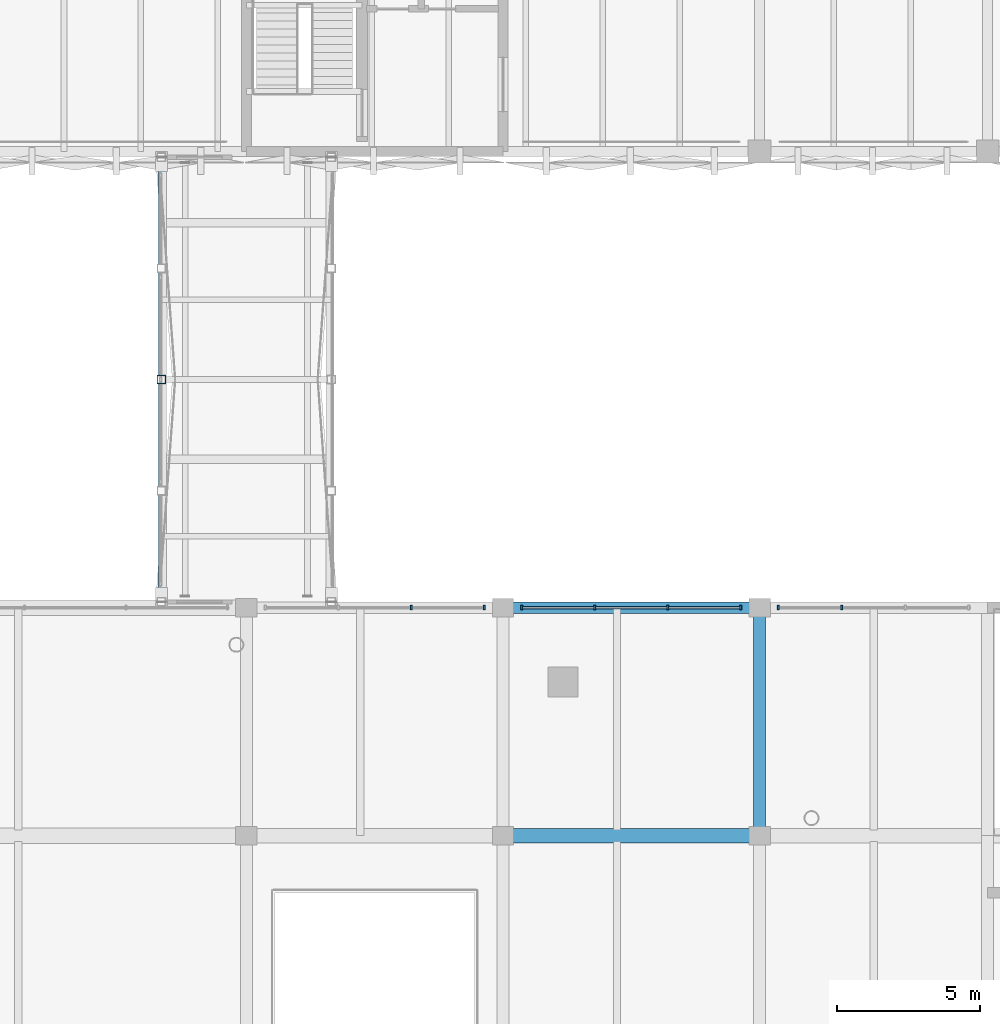
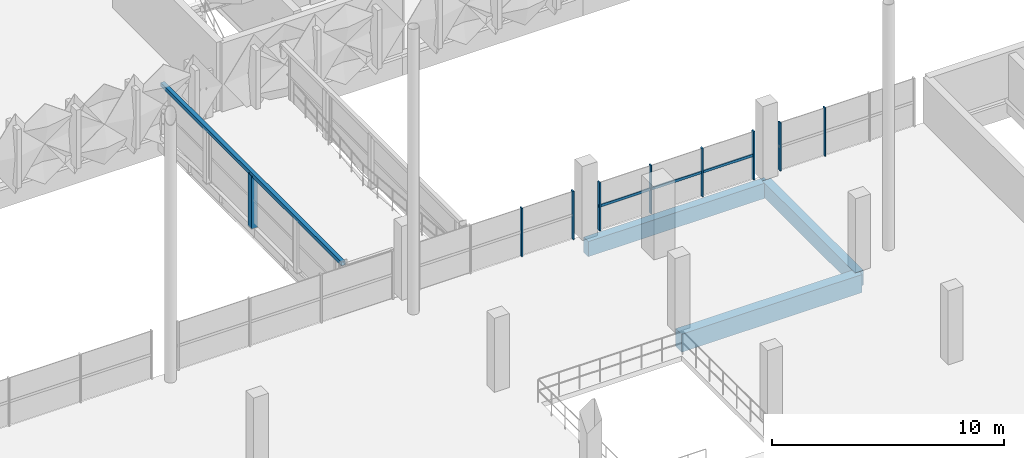
# One storey, part 37 of 123: 11 members, 3 beams, 3 elements without a shape of their own.
"""IFC4 building model written with IfcOpenShell, lengths in metres."""

from ifc_helpers import new_model, si_unit, derived_unit, direction, frame, origin, origin_2d, place, context, subcontext, project, spatial, rectangle, hollow_rectangle, extrude, material, layer, layer_set, material_profile, profile_set, type_object, element, aggregate, save


model = new_model("IFC4")

# Units and contexts
model_context = context("Model", 3, precision=1e-05, world=origin(), true_north=direction((0.0, 1.0)))
body_context = subcontext(model_context, "Body", "Model", "MODEL_VIEW")
ifc_project = project(units=[si_unit("LENGTHUNIT", "METRE"), si_unit("AREAUNIT", "SQUARE_METRE"), si_unit("VOLUMEUNIT", "CUBIC_METRE"), si_unit("PLANEANGLEUNIT", "RADIAN"), si_unit("MASSUNIT", "GRAM", prefix="KILO"), si_unit("THERMODYNAMICTEMPERATUREUNIT", "KELVIN"), derived_unit("THERMALTRANSMITTANCEUNIT", [(si_unit("POWERUNIT", "WATT"), 1), (si_unit("AREAUNIT", "SQUARE_METRE"), -1), (si_unit("THERMODYNAMICTEMPERATUREUNIT", "KELVIN"), -1)])], contexts=[model_context])

# Site, building, storey
site_placement = place(None, origin())
site = spatial("IfcSite", under=ifc_project, at=site_placement, CompositionType="ELEMENT")
building_placement = place(site_placement, origin())
building = spatial("IfcBuilding", under=site, at=building_placement, Name="Haiyu Intermodal Mobility Hub", CompositionType="ELEMENT")
storey_placement = place(building_placement, frame((0.0, 0.0, 5.60009765625)))
storey = spatial("IfcBuildingStorey", under=building, at=storey_placement, Name="L01", CompositionType="ELEMENT", Elevation=5.60009765625)

# Beams
ifc_material_1 = material(Name="Concrete C40", Category="concrete")
ifc_material_profile_1 = material_profile(ifc_material_1, rectangle(XDim=0.5, YDim=0.949951171875, at=origin_2d()), Name="RCB500x950")
ifc_profile_set_1 = profile_set([ifc_material_profile_1], Name="Concrete C40")
beam_type_1 = type_object("IfcBeamType", Name="BM-CB01", PredefinedType="BEAM", material=ifc_profile_set_1)
beam_1_placement = place(storey_placement, frame((129.0, 80.0, -0.735107421875), z_axis=(1.0, 0.0, 0.0), x_axis=(0.0, 1.0, 0.0)))
element("IfcBeam", 1, at=beam_1_placement, inside=storey, type_object=beam_type_1, Name="BM-V1G-L01-028", PredefinedType="BEAM", context=body_context, shape_type="SweptSolid", body=[
    extrude(rectangle(XDim=0.5, YDim=0.949951171875, at=origin_2d()), origin(), (0.0, 0.0, 1.0), 9.0),
])
ifc_material_profile_2 = material_profile(ifc_material_1, rectangle(XDim=0.39990234375, YDim=0.800048828125, at=origin_2d()), Name="RCB400x800")
ifc_profile_set_2 = profile_set([ifc_material_profile_2], Name="Concrete C40")
beam_type_2 = type_object("IfcBeamType", Name="BM-CB05", PredefinedType="BEAM", material=ifc_profile_set_2)
beam_2_placement = place(storey_placement, frame((129.0, 88.0, -0.66015625), z_axis=(1.0, 0.0, 0.0), x_axis=(0.0, 1.0, 0.0)))
element("IfcBeam", 2, at=beam_2_placement, inside=storey, type_object=beam_type_2, Name="BM-V1G-L01-038", PredefinedType="BEAM", context=body_context, shape_type="SweptSolid", body=[
    extrude(rectangle(XDim=0.39990234375, YDim=0.800048828125, at=origin_2d()), origin(), (0.0, 0.0, 1.0), 9.0),
])
ifc_material_profile_3 = material_profile(ifc_material_1, rectangle(XDim=0.419921875, YDim=0.780029296875, at=origin_2d()), Name="B420x780")
ifc_profile_set_3 = profile_set([ifc_material_profile_3], Name="Concrete C40")
beam_type_3 = type_object("IfcBeamType", Name="BM-CB14", PredefinedType="BEAM", material=ifc_profile_set_3)
beam_3_placement = place(storey_placement, frame((138.0, 80.0, -0.650146484375), z_axis=(0.0, 1.0, 0.0), x_axis=(-1.0, 0.0, 0.0)))
element("IfcBeam", 3, at=beam_3_placement, inside=storey, type_object=beam_type_3, Name="BM-V1T-L01-027", PredefinedType="BEAM", context=body_context, shape_type="SweptSolid", body=[
    extrude(rectangle(XDim=0.419921875, YDim=0.780029296875, at=origin_2d()), origin(), (0.0, 0.0, 1.0), 8.0),
])

# Curtain wall, members
ifc_material_2 = material(Name="Low-e laminated insulating glass", Category="glass")
ifc_layer = layer(ifc_material_2, 0.25)
ifc_layer_set = layer_set([ifc_layer], Name="Low-e laminated insulating glass")
curtain_wall_type = type_object("IfcCurtainWallType", Name="CW-CW02", PredefinedType="NOTDEFINED", material=ifc_layer_set)
curtain_wall_1_placement = place(storey_placement, origin())
curtain_wall_1 = element("IfcCurtainWall", 4, at=curtain_wall_1_placement, inside=storey, type_object=curtain_wall_type, Name="Curtain Wall CW-V1N-L01-029", PredefinedType="NOTDEFINED")
ifc_material_3 = material(Name="Anodised aluminium 6063-T6", Category="aluminium")
ifc_material_profile_4 = material_profile(ifc_material_3, rectangle(XDim=0.06494140625, YDim=0.1650390625, at=origin_2d()), Name="ALU65x165")
ifc_profile_set_4 = profile_set([ifc_material_profile_4], Name="Anodised aluminium 6063-T6")
member_type_1 = type_object("IfcMemberType", Name="CWM-ML02", PredefinedType="MULLION", material=ifc_profile_set_4)
member_1_placement = place(storey_placement, frame((128.340087890625, 88.0, 0.0), z_axis=(0.0, 0.0, 1.0), x_axis=(1.0, 0.0, 0.0)))
member_1 = element("IfcMember", 5, at=member_1_placement, type_object=member_type_1, Name="CW-V1N-L01-029-ML01", PredefinedType="MULLION", context=body_context, shape_type="SweptSolid", body=[
    extrude(rectangle(XDim=0.06494140625, YDim=0.1650390625, at=origin_2d()), origin(), (0.0, 0.0, 1.0), 2.5498046875),
])
member_2_placement = place(storey_placement, frame((125.780029296875, 88.0, 0.0), z_axis=(0.0, 0.0, 1.0), x_axis=(1.0, 0.0, 0.0)))
member_2 = element("IfcMember", 6, at=member_2_placement, type_object=member_type_1, Name="CW-V1N-L01-029-ML02", PredefinedType="MULLION", context=body_context, shape_type="SweptSolid", body=[
    extrude(rectangle(XDim=0.06494140625, YDim=0.1650390625, at=origin_2d()), origin(), (0.0, 0.0, 1.0), 2.5498046875),
])
aggregate(curtain_wall_1, [member_1, member_2])

curtain_wall_2_placement = place(storey_placement, origin())
curtain_wall_2 = element("IfcCurtainWall", 7, at=curtain_wall_2_placement, inside=storey, type_object=curtain_wall_type, Name="Curtain Wall CW-V1N-L01-030", PredefinedType="NOTDEFINED")
member_3_placement = place(storey_placement, frame((137.340087890625, 88.0, 0.0), z_axis=(0.0, 0.0, 1.0), x_axis=(1.0, 0.0, 0.0)))
member_3 = element("IfcMember", 8, at=member_3_placement, type_object=member_type_1, Name="CW-V1N-L01-030-ML01", PredefinedType="MULLION", context=body_context, shape_type="SweptSolid", body=[
    extrude(rectangle(XDim=0.06494140625, YDim=0.1650390625, at=origin_2d()), origin(), (0.0, 0.0, 1.0), 2.5498046875),
])
member_4_placement = place(storey_placement, frame((134.780029296875, 88.0, 0.0), z_axis=(0.0, 0.0, 1.0), x_axis=(1.0, 0.0, 0.0)))
member_4 = element("IfcMember", 9, at=member_4_placement, type_object=member_type_1, Name="CW-V1N-L01-030-ML02", PredefinedType="MULLION", context=body_context, shape_type="SweptSolid", body=[
    extrude(rectangle(XDim=0.06494140625, YDim=0.1650390625, at=origin_2d()), origin(), (0.0, 0.0, 1.0), 2.5498046875),
])
member_5_placement = place(storey_placement, frame((132.219970703125, 88.0, 0.0), z_axis=(0.0, 0.0, 1.0), x_axis=(1.0, 0.0, 0.0)))
member_5 = element("IfcMember", 10, at=member_5_placement, type_object=member_type_1, Name="CW-V1N-L01-030-ML03", PredefinedType="MULLION", context=body_context, shape_type="SweptSolid", body=[
    extrude(rectangle(XDim=0.06494140625, YDim=0.1650390625, at=origin_2d()), origin(), (0.0, 0.0, 1.0), 2.5498046875),
])
member_6_placement = place(storey_placement, frame((129.659912109375, 88.0, 0.0), z_axis=(0.0, 0.0, 1.0), x_axis=(1.0, 0.0, 0.0)))
member_6 = element("IfcMember", 11, at=member_6_placement, type_object=member_type_1, Name="CW-V1N-L01-030-ML04", PredefinedType="MULLION", context=body_context, shape_type="SweptSolid", body=[
    extrude(rectangle(XDim=0.06494140625, YDim=0.1650390625, at=origin_2d()), origin(), (0.0, 0.0, 1.0), 2.5498046875),
])

curtain_wall_3_placement = place(storey_placement, origin())
curtain_wall_3 = element("IfcCurtainWall", 12, at=curtain_wall_3_placement, inside=storey, type_object=curtain_wall_type, Name="Curtain Wall CW-V1N-L01-032", PredefinedType="NOTDEFINED")
member_7_placement = place(storey_placement, frame((140.886962890625, 88.0, 0.0), z_axis=(0.0, 0.0, 1.0), x_axis=(1.0, 0.0, 0.0)))
member_7 = element("IfcMember", 13, at=member_7_placement, type_object=member_type_1, Name="CW-V1N-L01-032-ML03", PredefinedType="MULLION", context=body_context, shape_type="SweptSolid", body=[
    extrude(rectangle(XDim=0.06494140625, YDim=0.1650390625, at=origin_2d()), origin(), (0.0, 0.0, 1.0), 2.5498046875),
])
member_8_placement = place(storey_placement, frame((138.659912109375, 88.0, 0.0), z_axis=(0.0, 0.0, 1.0), x_axis=(1.0, 0.0, 0.0)))
member_8 = element("IfcMember", 14, at=member_8_placement, type_object=member_type_1, Name="CW-V1N-L01-032-ML04", PredefinedType="MULLION", context=body_context, shape_type="SweptSolid", body=[
    extrude(rectangle(XDim=0.06494140625, YDim=0.1650390625, at=origin_2d()), origin(), (0.0, 0.0, 1.0), 2.5498046875),
])
aggregate(curtain_wall_3, [member_7, member_8])

# Member
ifc_material_profile_5 = material_profile(ifc_material_3, rectangle(XDim=0.06494140625, YDim=0.135009765625, at=origin_2d()), Name="ALU65x135")
ifc_profile_set_5 = profile_set([ifc_material_profile_5], Name="Anodised aluminium 6063-T6")
member_type_2 = type_object("IfcMemberType", Name="CWM-TR02", PredefinedType="USERDEFINED", material=ifc_profile_set_5)
member_9_placement = place(storey_placement, frame((137.3798828125, 88.0, 1.27490234375), z_axis=(-1.0, 0.0, 0.0), x_axis=(0.0, -1.0, 0.0)))
member_9 = element("IfcMember", 15, at=member_9_placement, type_object=member_type_2, Name="CW-V1N-L01-030-TR01", ObjectType="TRANSOM", PredefinedType="USERDEFINED", context=body_context, shape_type="SweptSolid", body=[
    extrude(rectangle(XDim=0.06494140625, YDim=0.135009765625, at=origin_2d()), origin(), (0.0, 0.0, 1.0), 7.759765625),
])

aggregate(curtain_wall_2, [member_3, member_4, member_5, member_6, member_9])

# Members
ifc_material_4 = material(Name="Steel Q355C", Category="steel")
ifc_material_profile_6 = material_profile(ifc_material_4, hollow_rectangle(XDim=0.300048828125, YDim=0.300048828125, WallThickness=0.011962890625, at=origin_2d()), Name="SHS300x300x12")
ifc_profile_set_6 = profile_set([ifc_material_profile_6], Name="Steel Q355C")
member_type_3 = type_object("IfcMemberType", Name="MEM-BR04", PredefinedType="BRACE", material=ifc_profile_set_6)
member_10_placement = place(storey_placement, frame((117.02001953125, 96.0, -0.239990234375), z_axis=(0.0, 0.0, 1.0), x_axis=(1.0, 0.0, 0.0)))
element("IfcMember", 16, at=member_10_placement, inside=storey, type_object=member_type_3, Name="Bridge Vierendeel Frame Post BEW-3", PredefinedType="BRACE", context=body_context, shape_type="SweptSolid", body=[
    extrude(hollow_rectangle(XDim=0.300048828125, YDim=0.300048828125, WallThickness=0.011962890625, at=origin_2d()), origin(), (0.0, 0.0, 1.0), 2.789794921875),
])
ifc_material_profile_7 = material_profile(ifc_material_4, hollow_rectangle(XDim=0.199951171875, YDim=0.199951171875, WallThickness=0.008056640625, at=origin_2d()), Name="SHS200x200x8")
ifc_profile_set_7 = profile_set([ifc_material_profile_7], Name="Steel Q355C")
member_type_4 = type_object("IfcMemberType", Name="MEM-CH02", PredefinedType="CHORD", material=ifc_profile_set_7)
member_11_placement = place(storey_placement, frame((117.02001953125, 88.199951171875, 2.5498046875), z_axis=(0.0, 1.0, 0.0), x_axis=(-1.0, 0.0, 0.0)))
element("IfcMember", 17, at=member_11_placement, inside=storey, type_object=member_type_4, Name="MEM-BRGTC-BEW", PredefinedType="CHORD", context=body_context, shape_type="SweptSolid", body=[
    extrude(hollow_rectangle(XDim=0.199951171875, YDim=0.199951171875, WallThickness=0.008056640625, at=origin_2d()), origin(), (0.0, 0.0, 1.0), 15.60009765625),
])

save(model, "model.ifc")
